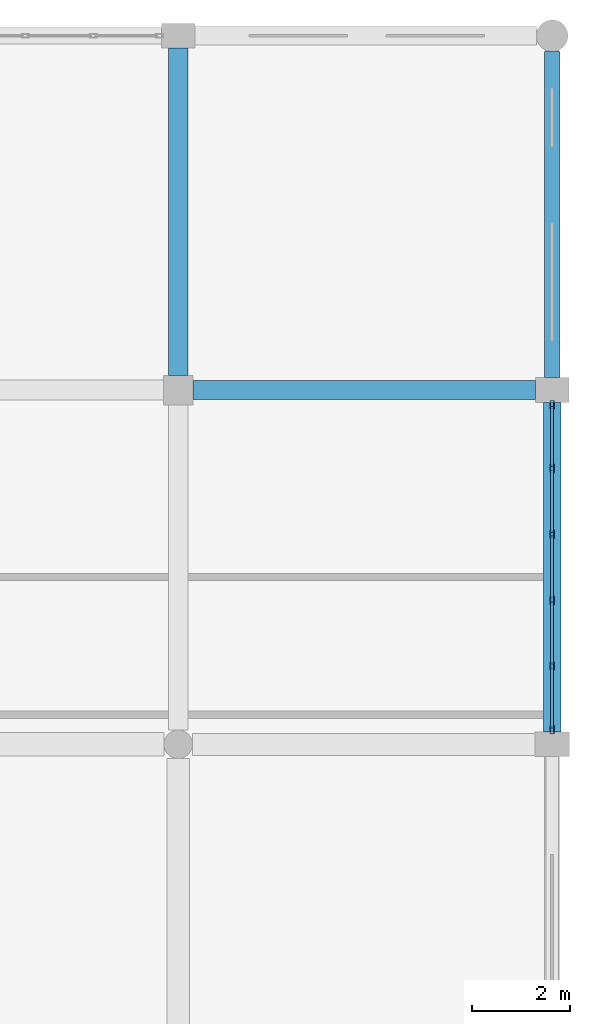
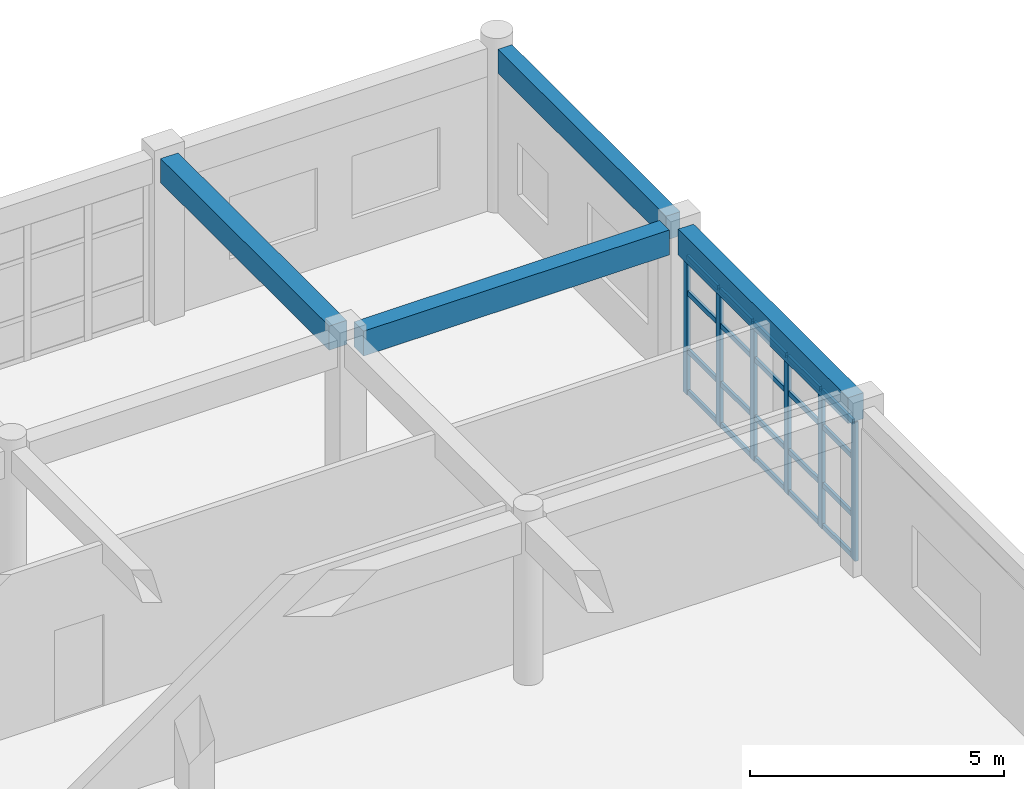
# One storey, part 32 of 53: 26 members, 4 beams, 1 element without a shape of its own.
"""IFC4 building model written with IfcOpenShell, lengths in metres."""

from ifc_helpers import new_model, si_unit, direction, frame, origin, origin_2d, place, context, subcontext, project, spatial, rectangle, hollow_rectangle, extrude, material, material_profile, profile_set, type_object, element, aggregate, save


model = new_model("IFC4")

# Units and contexts
model_context = context("Model", 3, precision=1e-05, world=origin(), true_north=direction((0.0, 1.0)))
body_context = subcontext(model_context, "Body", "Model", "MODEL_VIEW")
ifc_project = project(units=[si_unit("LENGTHUNIT", "METRE"), si_unit("AREAUNIT", "SQUARE_METRE"), si_unit("VOLUMEUNIT", "CUBIC_METRE"), si_unit("PLANEANGLEUNIT", "RADIAN"), si_unit("MASSUNIT", "GRAM", prefix="KILO")], contexts=[model_context])

# Site, building, storey
site_placement = place(None, origin())
site = spatial("IfcSite", under=ifc_project, at=site_placement, CompositionType="ELEMENT")
building_placement = place(site_placement, origin())
building = spatial("IfcBuilding", under=site, at=building_placement, Name="Kharva Crest Polytechnic", CompositionType="ELEMENT")
storey_placement = place(building_placement, frame((0.0, 0.0, 17.39990234375)))
storey = spatial("IfcBuildingStorey", under=building, at=storey_placement, Name="L04", CompositionType="ELEMENT", Elevation=17.39990234375)

# Beams
ifc_material_1 = material(Name="Concrete C35/45", Category="concrete")
ifc_material_profile_1 = material_profile(ifc_material_1, rectangle(XDim=0.3798828125, YDim=0.60009765625, at=origin_2d()), Name="RECT 380 X 600")
ifc_profile_set_1 = profile_set([ifc_material_profile_1], Name="Concrete C35/45")
beam_type_1 = type_object("IfcBeamType", Name="BM-RC-380X600", PredefinedType="BEAM", material=ifc_profile_set_1)
beam_1_placement = place(storey_placement, frame((176.699951171875, 114.800048828125, 3.670166015625), z_axis=(1.0, 0.0, 0.0), x_axis=(0.0, 1.0, 0.0)))
element("IfcBeam", 1, at=beam_1_placement, inside=storey, type_object=beam_type_1, Name="L04 Beam R/23-24", PredefinedType="BEAM", context=body_context, shape_type="SweptSolid", body=[
    extrude(rectangle(XDim=0.3798828125, YDim=0.60009765625, at=origin_2d()), origin(), (0.0, 0.0, 1.0), 6.9599609375),
])
ifc_material_profile_2 = material_profile(ifc_material_1, rectangle(XDim=0.39990234375, YDim=0.580078125, at=origin_2d()), Name="RECT 400 X 580")
ifc_profile_set_2 = profile_set([ifc_material_profile_2], Name="Concrete C35/45")
beam_type_2 = type_object("IfcBeamType", Name="BM-RC-400X580", PredefinedType="BEAM", material=ifc_profile_set_2)
beam_2_placement = place(storey_placement, frame((176.39990234375, 115.10009765625, 3.68017578125), z_axis=(0.0, 1.0, 0.0), x_axis=(-1.0, 0.0, 0.0)))
element("IfcBeam", 2, at=beam_2_placement, inside=storey, type_object=beam_type_2, Name="L04 Girder 23/R-S", PredefinedType="BEAM", context=body_context, shape_type="SweptSolid", body=[
    extrude(rectangle(XDim=0.39990234375, YDim=0.580078125, at=origin_2d()), origin(), (0.0, 0.0, 1.0), 6.64990234375),
])

# Curtain wall, members
ifc_material_2 = material(Name="Tempered insulated glass", Category="glass")
curtain_wall_type = type_object("IfcCurtainWallType", Name="CW-SYS-STUDIO", PredefinedType="USERDEFINED", material=ifc_material_2)
curtain_wall_placement = place(storey_placement, origin())
curtain_wall = element("IfcCurtainWall", 3, at=curtain_wall_placement, inside=storey, type_object=curtain_wall_type, Name="L04 Glazed Curtain Wall CW-172", ObjectType="CURTAIN WALL", PredefinedType="USERDEFINED")
ifc_material_3 = material(Name="Steel S355", Category="steel")
ifc_material_profile_3 = material_profile(ifc_material_3, hollow_rectangle(XDim=0.080078125, YDim=0.159912109375, WallThickness=0.0048828125, at=origin_2d()), Name="RHS 160X80X5.0")
ifc_profile_set_3 = profile_set([ifc_material_profile_3], Name="Steel S355")
member_type_1 = type_object("IfcMemberType", Name="CWM-RHS160X80", PredefinedType="MULLION", material=ifc_profile_set_3)
member_1_placement = place(storey_placement, frame((184.0, 107.89501953125, 0.0), z_axis=(0.0, 0.0, 1.0), x_axis=(-1.0, 0.0, 0.0)))
member_1 = element("IfcMember", 4, at=member_1_placement, type_object=member_type_1, Name="CW-172 mullion 1", PredefinedType="MULLION", context=body_context, shape_type="SweptSolid", body=[
    extrude(hollow_rectangle(XDim=0.080078125, YDim=0.159912109375, WallThickness=0.0048828125, at=origin_2d()), origin(), (0.0, 0.0, 1.0), 3.35009765625),
])
member_2_placement = place(storey_placement, frame((184.0, 109.193115234375, 0.0), z_axis=(0.0, 0.0, 1.0), x_axis=(-1.0, 0.0, 0.0)))
member_2 = element("IfcMember", 5, at=member_2_placement, type_object=member_type_1, Name="CW-172 mullion 2", PredefinedType="MULLION", context=body_context, shape_type="SweptSolid", body=[
    extrude(hollow_rectangle(XDim=0.080078125, YDim=0.159912109375, WallThickness=0.0048828125, at=origin_2d()), origin(), (0.0, 0.0, 1.0), 3.35009765625),
])
member_3_placement = place(storey_placement, frame((184.0, 110.531005859375, 0.0), z_axis=(0.0, 0.0, 1.0), x_axis=(-1.0, 0.0, 0.0)))
member_3 = element("IfcMember", 6, at=member_3_placement, type_object=member_type_1, Name="CW-172 mullion 3", PredefinedType="MULLION", context=body_context, shape_type="SweptSolid", body=[
    extrude(hollow_rectangle(XDim=0.080078125, YDim=0.159912109375, WallThickness=0.0048828125, at=origin_2d()), origin(), (0.0, 0.0, 1.0), 3.35009765625),
])
member_4_placement = place(storey_placement, frame((184.0, 111.868896484375, 0.0), z_axis=(0.0, 0.0, 1.0), x_axis=(-1.0, 0.0, 0.0)))
member_4 = element("IfcMember", 7, at=member_4_placement, type_object=member_type_1, Name="CW-172 mullion 4", PredefinedType="MULLION", context=body_context, shape_type="SweptSolid", body=[
    extrude(hollow_rectangle(XDim=0.080078125, YDim=0.159912109375, WallThickness=0.0048828125, at=origin_2d()), origin(), (0.0, 0.0, 1.0), 3.35009765625),
])
member_5_placement = place(storey_placement, frame((184.0, 113.20703125, 0.0), z_axis=(0.0, 0.0, 1.0), x_axis=(-1.0, 0.0, 0.0)))
member_5 = element("IfcMember", 8, at=member_5_placement, type_object=member_type_1, Name="CW-172 mullion 5", PredefinedType="MULLION", context=body_context, shape_type="SweptSolid", body=[
    extrude(hollow_rectangle(XDim=0.080078125, YDim=0.159912109375, WallThickness=0.0048828125, at=origin_2d()), origin(), (0.0, 0.0, 1.0), 3.35009765625),
])
member_6_placement = place(storey_placement, frame((184.0, 114.5048828125, 0.0), z_axis=(0.0, 0.0, 1.0), x_axis=(-1.0, 0.0, 0.0)))
member_6 = element("IfcMember", 9, at=member_6_placement, type_object=member_type_1, Name="CW-172 mullion 6", PredefinedType="MULLION", context=body_context, shape_type="SweptSolid", body=[
    extrude(hollow_rectangle(XDim=0.080078125, YDim=0.159912109375, WallThickness=0.0048828125, at=origin_2d()), origin(), (0.0, 0.0, 1.0), 3.35009765625),
])
ifc_material_profile_4 = material_profile(ifc_material_3, hollow_rectangle(XDim=0.06005859375, YDim=0.1201171875, WallThickness=0.00390625, at=origin_2d()), Name="RHS 120X60X4.0")
ifc_profile_set_4 = profile_set([ifc_material_profile_4], Name="Steel S355")
member_type_2 = type_object("IfcMemberType", Name="CWT-RHS120X60", PredefinedType="USERDEFINED", material=ifc_profile_set_4)
member_7_placement = place(storey_placement, frame((184.0, 107.93505859375, 0.06005859375), z_axis=(0.0, 1.0, 0.0), x_axis=(-1.0, 0.0, 0.0)))
member_7 = element("IfcMember", 10, at=member_7_placement, type_object=member_type_2, Name="CW-172 transom 1.1", ObjectType="TRANSOM", PredefinedType="USERDEFINED", context=body_context, shape_type="SweptSolid", body=[
    extrude(hollow_rectangle(XDim=0.06005859375, YDim=0.1201171875, WallThickness=0.00390625, at=origin_2d()), origin(), (0.0, 0.0, 1.0), 1.218017578125),
])
member_8_placement = place(storey_placement, frame((184.0, 107.93505859375, 1.050048828125), z_axis=(0.0, 1.0, 0.0), x_axis=(-1.0, 0.0, 0.0)))
member_8 = element("IfcMember", 11, at=member_8_placement, type_object=member_type_2, Name="CW-172 transom 1.2", ObjectType="TRANSOM", PredefinedType="USERDEFINED", context=body_context, shape_type="SweptSolid", body=[
    extrude(hollow_rectangle(XDim=0.06005859375, YDim=0.1201171875, WallThickness=0.00390625, at=origin_2d()), origin(), (0.0, 0.0, 1.0), 1.218017578125),
])
member_9_placement = place(storey_placement, frame((184.0, 107.93505859375, 2.4501953125), z_axis=(0.0, 1.0, 0.0), x_axis=(-1.0, 0.0, 0.0)))
member_9 = element("IfcMember", 12, at=member_9_placement, type_object=member_type_2, Name="CW-172 transom 1.3", ObjectType="TRANSOM", PredefinedType="USERDEFINED", context=body_context, shape_type="SweptSolid", body=[
    extrude(hollow_rectangle(XDim=0.06005859375, YDim=0.1201171875, WallThickness=0.00390625, at=origin_2d()), origin(), (0.0, 0.0, 1.0), 1.218017578125),
])
member_10_placement = place(storey_placement, frame((184.0, 107.93505859375, 3.2900390625), z_axis=(0.0, 1.0, 0.0), x_axis=(-1.0, 0.0, 0.0)))
member_10 = element("IfcMember", 13, at=member_10_placement, type_object=member_type_2, Name="CW-172 transom 1.4", ObjectType="TRANSOM", PredefinedType="USERDEFINED", context=body_context, shape_type="SweptSolid", body=[
    extrude(hollow_rectangle(XDim=0.06005859375, YDim=0.1201171875, WallThickness=0.00390625, at=origin_2d()), origin(), (0.0, 0.0, 1.0), 1.218017578125),
])
member_11_placement = place(storey_placement, frame((184.0, 109.23291015625, 0.06005859375), z_axis=(0.0, 1.0, 0.0), x_axis=(-1.0, 0.0, 0.0)))
member_11 = element("IfcMember", 14, at=member_11_placement, type_object=member_type_2, Name="CW-172 transom 2.1", ObjectType="TRANSOM", PredefinedType="USERDEFINED", context=body_context, shape_type="SweptSolid", body=[
    extrude(hollow_rectangle(XDim=0.06005859375, YDim=0.1201171875, WallThickness=0.00390625, at=origin_2d()), origin(), (0.0, 0.0, 1.0), 1.258056640625),
])
member_12_placement = place(storey_placement, frame((184.0, 109.23291015625, 1.050048828125), z_axis=(0.0, 1.0, 0.0), x_axis=(-1.0, 0.0, 0.0)))
member_12 = element("IfcMember", 15, at=member_12_placement, type_object=member_type_2, Name="CW-172 transom 2.2", ObjectType="TRANSOM", PredefinedType="USERDEFINED", context=body_context, shape_type="SweptSolid", body=[
    extrude(hollow_rectangle(XDim=0.06005859375, YDim=0.1201171875, WallThickness=0.00390625, at=origin_2d()), origin(), (0.0, 0.0, 1.0), 1.258056640625),
])
member_13_placement = place(storey_placement, frame((184.0, 109.23291015625, 2.4501953125), z_axis=(0.0, 1.0, 0.0), x_axis=(-1.0, 0.0, 0.0)))
member_13 = element("IfcMember", 16, at=member_13_placement, type_object=member_type_2, Name="CW-172 transom 2.3", ObjectType="TRANSOM", PredefinedType="USERDEFINED", context=body_context, shape_type="SweptSolid", body=[
    extrude(hollow_rectangle(XDim=0.06005859375, YDim=0.1201171875, WallThickness=0.00390625, at=origin_2d()), origin(), (0.0, 0.0, 1.0), 1.258056640625),
])
member_14_placement = place(storey_placement, frame((184.0, 109.23291015625, 3.2900390625), z_axis=(0.0, 1.0, 0.0), x_axis=(-1.0, 0.0, 0.0)))
member_14 = element("IfcMember", 17, at=member_14_placement, type_object=member_type_2, Name="CW-172 transom 2.4", ObjectType="TRANSOM", PredefinedType="USERDEFINED", context=body_context, shape_type="SweptSolid", body=[
    extrude(hollow_rectangle(XDim=0.06005859375, YDim=0.1201171875, WallThickness=0.00390625, at=origin_2d()), origin(), (0.0, 0.0, 1.0), 1.258056640625),
])
member_15_placement = place(storey_placement, frame((184.0, 110.571044921875, 0.06005859375), z_axis=(0.0, 1.0, 0.0), x_axis=(-1.0, 0.0, 0.0)))
member_15 = element("IfcMember", 18, at=member_15_placement, type_object=member_type_2, Name="CW-172 transom 3.1", ObjectType="TRANSOM", PredefinedType="USERDEFINED", context=body_context, shape_type="SweptSolid", body=[
    extrude(hollow_rectangle(XDim=0.06005859375, YDim=0.1201171875, WallThickness=0.00390625, at=origin_2d()), origin(), (0.0, 0.0, 1.0), 1.258056640625),
])
member_16_placement = place(storey_placement, frame((184.0, 110.571044921875, 1.050048828125), z_axis=(0.0, 1.0, 0.0), x_axis=(-1.0, 0.0, 0.0)))
member_16 = element("IfcMember", 19, at=member_16_placement, type_object=member_type_2, Name="CW-172 transom 3.2", ObjectType="TRANSOM", PredefinedType="USERDEFINED", context=body_context, shape_type="SweptSolid", body=[
    extrude(hollow_rectangle(XDim=0.06005859375, YDim=0.1201171875, WallThickness=0.00390625, at=origin_2d()), origin(), (0.0, 0.0, 1.0), 1.258056640625),
])
member_17_placement = place(storey_placement, frame((184.0, 110.571044921875, 2.4501953125), z_axis=(0.0, 1.0, 0.0), x_axis=(-1.0, 0.0, 0.0)))
member_17 = element("IfcMember", 20, at=member_17_placement, type_object=member_type_2, Name="CW-172 transom 3.3", ObjectType="TRANSOM", PredefinedType="USERDEFINED", context=body_context, shape_type="SweptSolid", body=[
    extrude(hollow_rectangle(XDim=0.06005859375, YDim=0.1201171875, WallThickness=0.00390625, at=origin_2d()), origin(), (0.0, 0.0, 1.0), 1.258056640625),
])
member_18_placement = place(storey_placement, frame((184.0, 110.571044921875, 3.2900390625), z_axis=(0.0, 1.0, 0.0), x_axis=(-1.0, 0.0, 0.0)))
member_18 = element("IfcMember", 21, at=member_18_placement, type_object=member_type_2, Name="CW-172 transom 3.4", ObjectType="TRANSOM", PredefinedType="USERDEFINED", context=body_context, shape_type="SweptSolid", body=[
    extrude(hollow_rectangle(XDim=0.06005859375, YDim=0.1201171875, WallThickness=0.00390625, at=origin_2d()), origin(), (0.0, 0.0, 1.0), 1.258056640625),
])
member_19_placement = place(storey_placement, frame((184.0, 111.908935546875, 0.06005859375), z_axis=(0.0, 1.0, 0.0), x_axis=(-1.0, 0.0, 0.0)))
member_19 = element("IfcMember", 22, at=member_19_placement, type_object=member_type_2, Name="CW-172 transom 4.1", ObjectType="TRANSOM", PredefinedType="USERDEFINED", context=body_context, shape_type="SweptSolid", body=[
    extrude(hollow_rectangle(XDim=0.06005859375, YDim=0.1201171875, WallThickness=0.00390625, at=origin_2d()), origin(), (0.0, 0.0, 1.0), 1.258056640625),
])
member_20_placement = place(storey_placement, frame((184.0, 111.908935546875, 1.050048828125), z_axis=(0.0, 1.0, 0.0), x_axis=(-1.0, 0.0, 0.0)))
member_20 = element("IfcMember", 23, at=member_20_placement, type_object=member_type_2, Name="CW-172 transom 4.2", ObjectType="TRANSOM", PredefinedType="USERDEFINED", context=body_context, shape_type="SweptSolid", body=[
    extrude(hollow_rectangle(XDim=0.06005859375, YDim=0.1201171875, WallThickness=0.00390625, at=origin_2d()), origin(), (0.0, 0.0, 1.0), 1.258056640625),
])
member_21_placement = place(storey_placement, frame((184.0, 111.908935546875, 2.4501953125), z_axis=(0.0, 1.0, 0.0), x_axis=(-1.0, 0.0, 0.0)))
member_21 = element("IfcMember", 24, at=member_21_placement, type_object=member_type_2, Name="CW-172 transom 4.3", ObjectType="TRANSOM", PredefinedType="USERDEFINED", context=body_context, shape_type="SweptSolid", body=[
    extrude(hollow_rectangle(XDim=0.06005859375, YDim=0.1201171875, WallThickness=0.00390625, at=origin_2d()), origin(), (0.0, 0.0, 1.0), 1.258056640625),
])
member_22_placement = place(storey_placement, frame((184.0, 111.908935546875, 3.2900390625), z_axis=(0.0, 1.0, 0.0), x_axis=(-1.0, 0.0, 0.0)))
member_22 = element("IfcMember", 25, at=member_22_placement, type_object=member_type_2, Name="CW-172 transom 4.4", ObjectType="TRANSOM", PredefinedType="USERDEFINED", context=body_context, shape_type="SweptSolid", body=[
    extrude(hollow_rectangle(XDim=0.06005859375, YDim=0.1201171875, WallThickness=0.00390625, at=origin_2d()), origin(), (0.0, 0.0, 1.0), 1.258056640625),
])
member_23_placement = place(storey_placement, frame((184.0, 113.2470703125, 0.06005859375), z_axis=(0.0, 1.0, 0.0), x_axis=(-1.0, 0.0, 0.0)))
member_23 = element("IfcMember", 26, at=member_23_placement, type_object=member_type_2, Name="CW-172 transom 5.1", ObjectType="TRANSOM", PredefinedType="USERDEFINED", context=body_context, shape_type="SweptSolid", body=[
    extrude(hollow_rectangle(XDim=0.06005859375, YDim=0.1201171875, WallThickness=0.00390625, at=origin_2d()), origin(), (0.0, 0.0, 1.0), 1.218017578125),
])
member_24_placement = place(storey_placement, frame((184.0, 113.2470703125, 1.050048828125), z_axis=(0.0, 1.0, 0.0), x_axis=(-1.0, 0.0, 0.0)))
member_24 = element("IfcMember", 27, at=member_24_placement, type_object=member_type_2, Name="CW-172 transom 5.2", ObjectType="TRANSOM", PredefinedType="USERDEFINED", context=body_context, shape_type="SweptSolid", body=[
    extrude(hollow_rectangle(XDim=0.06005859375, YDim=0.1201171875, WallThickness=0.00390625, at=origin_2d()), origin(), (0.0, 0.0, 1.0), 1.218017578125),
])
member_25_placement = place(storey_placement, frame((184.0, 113.2470703125, 2.4501953125), z_axis=(0.0, 1.0, 0.0), x_axis=(-1.0, 0.0, 0.0)))
member_25 = element("IfcMember", 28, at=member_25_placement, type_object=member_type_2, Name="CW-172 transom 5.3", ObjectType="TRANSOM", PredefinedType="USERDEFINED", context=body_context, shape_type="SweptSolid", body=[
    extrude(hollow_rectangle(XDim=0.06005859375, YDim=0.1201171875, WallThickness=0.00390625, at=origin_2d()), origin(), (0.0, 0.0, 1.0), 1.218017578125),
])
member_26_placement = place(storey_placement, frame((184.0, 113.2470703125, 3.2900390625), z_axis=(0.0, 1.0, 0.0), x_axis=(-1.0, 0.0, 0.0)))
member_26 = element("IfcMember", 29, at=member_26_placement, type_object=member_type_2, Name="CW-172 transom 5.4", ObjectType="TRANSOM", PredefinedType="USERDEFINED", context=body_context, shape_type="SweptSolid", body=[
    extrude(hollow_rectangle(XDim=0.06005859375, YDim=0.1201171875, WallThickness=0.00390625, at=origin_2d()), origin(), (0.0, 0.0, 1.0), 1.218017578125),
])
aggregate(curtain_wall, [member_1, member_2, member_3, member_4, member_5, member_6, member_7, member_8, member_9, member_10, member_11, member_12, member_13, member_14, member_15, member_16, member_17, member_18, member_19, member_20, member_21, member_22, member_23, member_24, member_25, member_26])

# Beams
ifc_material_profile_5 = material_profile(ifc_material_1, rectangle(XDim=0.320068359375, YDim=0.580078125, at=origin_2d()), Name="RECT 320 X 580")
ifc_profile_set_5 = profile_set([ifc_material_profile_5], Name="Concrete C35/45")
beam_type_3 = type_object("IfcBeamType", Name="SP-RC-320X580", PredefinedType="SPANDREL", material=ifc_profile_set_5)
beam_3_placement = place(storey_placement, frame((184.0, 115.050048828125, 3.68017578125), z_axis=(0.0, 1.0, 0.0), x_axis=(-1.0, 0.0, 0.0)))
element("IfcBeam", 30, at=beam_3_placement, inside=storey, type_object=beam_type_3, Name="L04 Girder 24/R-S", PredefinedType="SPANDREL", context=body_context, shape_type="SweptSolid", body=[
    extrude(rectangle(XDim=0.320068359375, YDim=0.580078125, at=origin_2d()), origin(), (0.0, 0.0, 1.0), 6.6298828125),
])
ifc_material_profile_6 = material_profile(ifc_material_1, rectangle(XDim=0.35009765625, YDim=0.6201171875, at=origin_2d()), Name="RECT 350 X 620")
ifc_profile_set_6 = profile_set([ifc_material_profile_6], Name="Concrete C35/45")
beam_type_4 = type_object("IfcBeamType", Name="SP-RC-350X620", PredefinedType="SPANDREL", material=ifc_profile_set_6)
beam_4_placement = place(storey_placement, frame((184.0, 107.85009765625, 3.66015625), z_axis=(0.0, 1.0, 0.0), x_axis=(-1.0, 0.0, 0.0)))
element("IfcBeam", 31, at=beam_4_placement, inside=storey, type_object=beam_type_4, Name="L04 Girder 24/Q-R", PredefinedType="SPANDREL", context=body_context, shape_type="SweptSolid", body=[
    extrude(rectangle(XDim=0.35009765625, YDim=0.6201171875, at=origin_2d()), origin(), (0.0, 0.0, 1.0), 6.699951171875),
])

save(model, "model.ifc")
